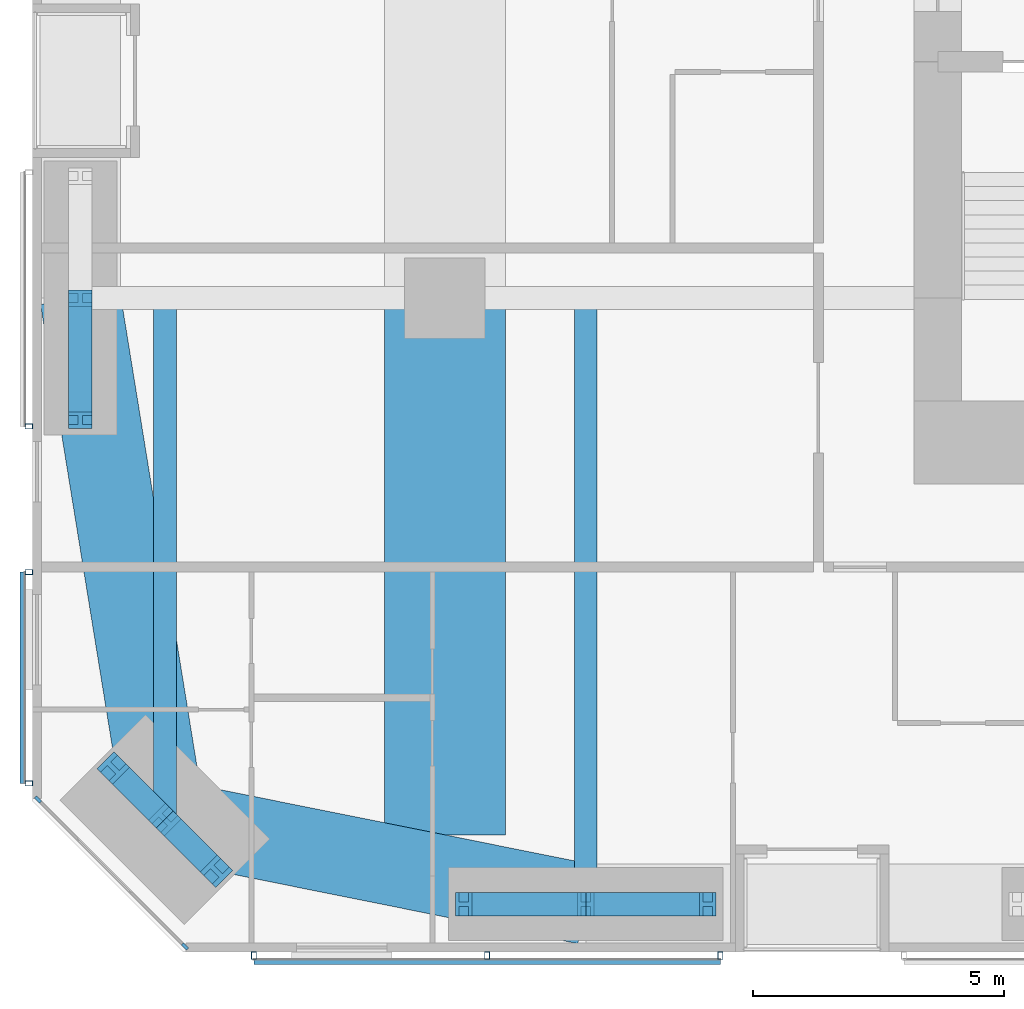
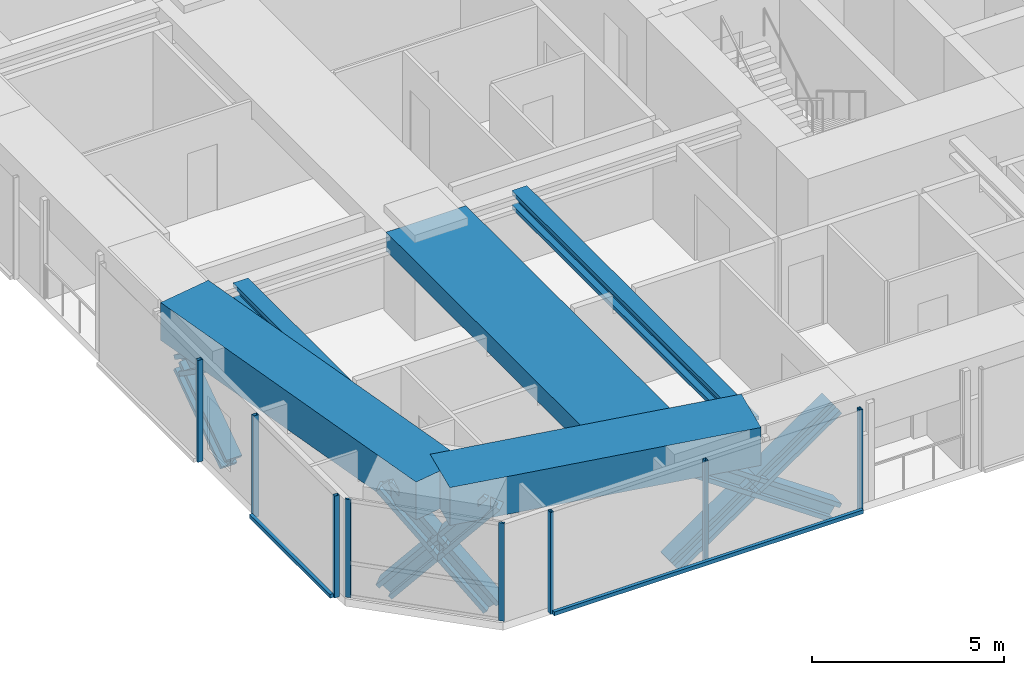
# One storey, part 2 of 23: 20 members, 5 beams, 4 elements without a shape of their own.
"""IFC4 building model written with IfcOpenShell, lengths in metres."""

from ifc_helpers import new_model, si_unit, direction, frame, origin, origin_2d, place, context, subcontext, project, spatial, rectangle, hollow_rectangle, i_section, extrude, material, material_profile, profile_set, type_object, element, aggregate, save


model = new_model("IFC4")

# Units and contexts
model_context = context("Model", 3, precision=1e-05, world=origin(), true_north=direction((0.0, 1.0)))
body_context = subcontext(model_context, "Body", "Model", "MODEL_VIEW")
ifc_project = project(units=[si_unit("LENGTHUNIT", "METRE"), si_unit("AREAUNIT", "SQUARE_METRE"), si_unit("VOLUMEUNIT", "CUBIC_METRE"), si_unit("PLANEANGLEUNIT", "RADIAN"), si_unit("MASSUNIT", "GRAM", prefix="KILO")], contexts=[model_context])

# Site, building, storey
site_placement = place(None, origin())
site = spatial("IfcSite", under=ifc_project, at=site_placement, CompositionType="ELEMENT")
building_placement = place(site_placement, origin())
building = spatial("IfcBuilding", under=site, at=building_placement, Name="Jalousie Tower", CompositionType="ELEMENT")
storey_placement = place(building_placement, frame((0.0, 0.0, 37.75)))
storey = spatial("IfcBuildingStorey", under=building, at=storey_placement, Name="L09", CompositionType="ELEMENT", Elevation=37.75)

# Curtain wall, members
ifc_material_1 = material(Name="Aluminium curtain wall", Category="aluminium")
curtain_wall_type_1 = type_object("IfcCurtainWallType", Name="CORNER WINDOW WALL", PredefinedType="USERDEFINED", material=ifc_material_1)
curtain_wall_1_placement = place(storey_placement, origin())
curtain_wall_1 = element("IfcCurtainWall", 1, at=curtain_wall_1_placement, inside=storey, type_object=curtain_wall_type_1, Name="Corner Window Wall L09 8", ObjectType="CORNER WINDOW WALL", PredefinedType="USERDEFINED")
ifc_material_2 = material(Name="Aluminium mullion", Category="aluminium")
ifc_material_profile_1 = material_profile(ifc_material_2, rectangle(XDim=0.06005859375, YDim=0.14990234375, at=origin_2d()), Name="MULLION 60x150")
ifc_profile_set_1 = profile_set([ifc_material_profile_1], Name="Aluminium mullion")
member_type_1 = type_object("IfcMemberType", Name="CORNER WINDOW WALL MULLION", PredefinedType="MULLION", material=ifc_profile_set_1)
member_1_placement = place(storey_placement, frame((2.108642578125, 3.030029296875, 0.0), z_axis=(0.0, 0.0, 1.0), x_axis=(0.707106781187, 0.707106781187, 0.0)))
member_1 = element("IfcMember", 2, at=member_1_placement, type_object=member_type_1, Name="CW-C mullion 1", PredefinedType="MULLION", context=body_context, shape_type="SweptSolid", body=[
    extrude(rectangle(XDim=0.06005859375, YDim=0.14990234375, at=origin_2d()), origin(), (0.0, 0.0, 1.0), 3.110107421875),
])
member_2_placement = place(storey_placement, frame((5.030029296875, 0.108642578125, 0.0), z_axis=(0.0, 0.0, 1.0), x_axis=(0.707106781187, 0.707106781187, 0.0)))
member_2 = element("IfcMember", 3, at=member_2_placement, type_object=member_type_1, Name="CW-C mullion 2", PredefinedType="MULLION", context=body_context, shape_type="SweptSolid", body=[
    extrude(rectangle(XDim=0.06005859375, YDim=0.14990234375, at=origin_2d()), origin(), (0.0, 0.0, 1.0), 3.110107421875),
])
aggregate(curtain_wall_1, [member_1, member_2])

# Beams
ifc_material_3 = material(Name="Steel ASTM A992 Grade 50", Category="steel")
ifc_material_profile_2 = material_profile(ifc_material_3, i_section(OverallWidth=0.45458984375, OverallDepth=0.569091796875, WebThickness=0.077880859375, FlangeThickness=0.124755859375, at=origin_2d()), Name="W14X730")
ifc_profile_set_2 = profile_set([ifc_material_profile_2], Name="Steel ASTM A992 Grade 50")
beam_type_1 = type_object("IfcBeamType", Name="LEAN COLLECTOR W14X730", PredefinedType="BEAM", material=ifc_profile_set_2)
beam_1_placement = place(storey_placement, frame((4.63134765625, 2.63134765625, 2.825439453125), z_axis=(0.0, 1.0, 0.0), x_axis=(-1.0, 0.0, 0.0)))
element("IfcBeam", 4, at=beam_1_placement, inside=storey, type_object=beam_type_1, Name="Lean collector under L10", PredefinedType="BEAM", context=body_context, shape_type="SweptSolid", body=[
    extrude(i_section(OverallWidth=0.45458984375, OverallDepth=0.569091796875, WebThickness=0.077880859375, FlangeThickness=0.124755859375, at=origin_2d()), origin(), (0.0, 0.0, 1.0), 10.36865234375),
])
beam_2_placement = place(storey_placement, frame((13.0, 0.949951171875, 2.825439453125), z_axis=(0.0, 1.0, 0.0), x_axis=(-1.0, 0.0, 0.0)))
element("IfcBeam", 5, at=beam_2_placement, inside=storey, type_object=beam_type_1, Name="Lean collector under L10", PredefinedType="BEAM", context=body_context, shape_type="SweptSolid", body=[
    extrude(i_section(OverallWidth=0.45458984375, OverallDepth=0.569091796875, WebThickness=0.077880859375, FlangeThickness=0.124755859375, at=origin_2d()), origin(), (0.0, 0.0, 1.0), 12.050048828125),
])

# Members
ifc_material_4 = material(Name="Steel ASTM A992 Grade 50", Category="steel")
ifc_material_profile_3 = material_profile(ifc_material_4, i_section(OverallWidth=0.472412109375, OverallDepth=0.5791015625, WebThickness=0.094970703125, FlangeThickness=0.1298828125, at=origin_2d()), Name="W14X808")
ifc_profile_set_3 = profile_set([ifc_material_profile_3], Name="Steel ASTM A992 Grade 50")
member_type_2 = type_object("IfcMemberType", Name="PERIMETER BRACE W14X808", PredefinedType="BRACE", material=ifc_profile_set_3)
for number, where, z_axis, x_axis, name in (
    (6, (3.606201171875, 3.65673828125, -0.60009765625), (0.462729793854, -0.462839993852, 0.756082189957), (0.707190965575, 0.707022586774, 0.0), "Perimeter brace 01 L09 part 1"),
    (7, (4.63134765625, 2.63134765625, 1.074951171875), (0.462839993852, -0.462729793854, 0.756082189957), (0.707022586774, 0.707190965575, 0.0), "Perimeter brace 01 L09 part 2"),
    (8, (5.65673828125, 1.606201171875, -0.60009765625), (-0.462839993852, 0.462729793854, 0.756082189957), (-0.707022586774, -0.707190965575, 0.0), "Perimeter brace 01 L09 part 3"),
    (9, (4.63134765625, 2.63134765625, 1.074951171875), (-0.462729793854, 0.462839993852, 0.756082189957), (-0.707190965575, -0.707022586774, 0.0), "Perimeter brace 01 L09 part 4"),
):
    element("IfcMember", number, at=place(storey_placement, frame(where, z_axis=z_axis, x_axis=x_axis)), inside=storey, type_object=member_type_2, Name=name, PredefinedType="BRACE", context=body_context, shape_type="SweptSolid", body=[
        extrude(i_section(OverallWidth=0.472412109375, OverallDepth=0.5791015625, WebThickness=0.094970703125, FlangeThickness=0.1298828125, at=origin_2d()), origin(), (0.0, 0.0, 1.0), 2.21533203125),
    ])
for number, where, z_axis, x_axis, name in (
    (10, (10.574951171875, 0.949951171875, -0.60009765625), (0.822800062329, 0.0, 0.568330940062), (0.0, 1.0, 0.0), "Perimeter brace 02 L09 part 1"),
    (11, (13.0, 0.949951171875, 1.074951171875), (0.822800062329, 0.0, 0.568330940062), (0.0, 1.0, 0.0), "Perimeter brace 02 L09 part 2"),
    (12, (15.425048828125, 0.949951171875, -0.60009765625), (-0.822800062329, 0.0, 0.568330940062), (0.0, -1.0, 0.0), "Perimeter brace 02 L09 part 3"),
    (13, (13.0, 0.949951171875, 1.074951171875), (-0.822800062329, 0.0, 0.568330940062), (0.0, -1.0, 0.0), "Perimeter brace 02 L09 part 4"),
    (14, (2.949951171875, 10.574951171875, -0.60009765625), (0.0, 0.822800062329, 0.568330940062), (-1.0, 0.0, 0.0), "Perimeter brace 14 L09 part 1"),
    (15, (2.949951171875, 13.0, 1.074951171875), (0.0, -0.822800062329, 0.568330940062), (1.0, 0.0, 0.0), "Perimeter brace 14 L09 part 4"),
):
    element("IfcMember", number, at=place(storey_placement, frame(where, z_axis=z_axis, x_axis=x_axis)), inside=storey, type_object=member_type_2, Name=name, PredefinedType="BRACE", context=body_context, shape_type="SweptSolid", body=[
        extrude(i_section(OverallWidth=0.472412109375, OverallDepth=0.5791015625, WebThickness=0.094970703125, FlangeThickness=0.1298828125, at=origin_2d()), origin(), (0.0, 0.0, 1.0), 2.947265625),
    ])

# Beams
ifc_material_5 = material(Name="Concrete f'c 40 MPa", Category="concrete")
ifc_material_profile_4 = material_profile(ifc_material_5, rectangle(XDim=1.60009765625, YDim=1.199951171875, at=origin_2d()), Name="RC 1600x1200")
ifc_profile_set_4 = profile_set([ifc_material_profile_4], Name="Concrete f'c 40 MPa")
beam_type_2 = type_object("IfcBeamType", Name="RC BEAM 1600x1200", PredefinedType="BEAM", material=ifc_profile_set_4)
beam_3_placement = place(storey_placement, frame((4.63134765625, 2.63134765625, 2.75), z_axis=(0.980407585444, -0.196979609107, 0.0), x_axis=(0.196979609107, 0.980407585444, 0.0)))
element("IfcBeam", 16, at=beam_3_placement, inside=storey, type_object=beam_type_2, Name="Edge band beam 01-02 under L10", PredefinedType="BEAM", context=body_context, shape_type="SweptSolid", body=[
    extrude(rectangle(XDim=1.60009765625, YDim=1.199951171875, at=origin_2d()), origin(), (0.0, 0.0, 1.0), 8.535888671875),
])
beam_4_placement = place(storey_placement, frame((2.949951171875, 13.0, 2.75), z_axis=(0.160070546476, -0.987105577003, 0.0), x_axis=(0.987105577003, 0.160070546476, 0.0)))
element("IfcBeam", 17, at=beam_4_placement, inside=storey, type_object=beam_type_2, Name="Edge band beam 14-01 under L10", PredefinedType="BEAM", context=body_context, shape_type="SweptSolid", body=[
    extrude(rectangle(XDim=1.60009765625, YDim=1.199951171875, at=origin_2d()), origin(), (0.0, 0.0, 1.0), 10.504150390625),
])
ifc_material_6 = material(Name="Concrete f'c 40 MPa", Category="concrete")
ifc_material_profile_5 = material_profile(ifc_material_6, rectangle(XDim=2.39990234375, YDim=0.60009765625, at=origin_2d()), Name="RC 2400x600")
ifc_profile_set_5 = profile_set([ifc_material_profile_5], Name="Concrete f'c 40 MPa")
beam_type_3 = type_object("IfcBeamType", Name="RC BEAM 2400x600", PredefinedType="BEAM", material=ifc_profile_set_5)
beam_5_placement = place(storey_placement, frame((10.199951171875, 13.0, 2.81005859375), z_axis=(0.0, -1.0, 0.0), x_axis=(1.0, 0.0, 0.0)))
element("IfcBeam", 18, at=beam_5_placement, inside=storey, type_object=beam_type_3, Name="Floor band beam under L10", PredefinedType="BEAM", context=body_context, shape_type="SweptSolid", body=[
    extrude(rectangle(XDim=2.39990234375, YDim=0.60009765625, at=origin_2d()), origin(), (0.0, 0.0, 1.0), 10.67138671875),
])

# Curtain wall, members
ifc_material_7 = material(Name="Perforated aluminium sheet", Category="aluminium")
curtain_wall_type_2 = type_object("IfcCurtainWallType", Name="SOLAR SCREEN SS-1", PredefinedType="USERDEFINED", material=ifc_material_7)
curtain_wall_2_placement = place(storey_placement, origin())
curtain_wall_2 = element("IfcCurtainWall", 19, at=curtain_wall_2_placement, inside=storey, type_object=curtain_wall_type_2, Name="Solar screen L09", ObjectType="SOLAR SCREEN SS-1", PredefinedType="USERDEFINED")
ifc_material_8 = material(Name="Steel ASTM A500 Grade C", Category="steel")
ifc_material_profile_6 = material_profile(ifc_material_8, hollow_rectangle(XDim=0.1015625, YDim=0.15234375, WallThickness=0.00634765625, at=origin_2d()), Name="HSS6X4X1/4")
ifc_profile_set_6 = profile_set([ifc_material_profile_6], Name="Steel ASTM A500 Grade C")
member_type_3 = type_object("IfcMemberType", Name="SOLAR SCREEN SS-1 MULLION", PredefinedType="MULLION", material=ifc_profile_set_6)
member_3_placement = place(storey_placement, frame((6.39990234375, -0.0712890625, -0.1201171875), z_axis=(0.0, 0.0, 1.0), x_axis=(1.0, 0.0, 0.0)))
member_3 = element("IfcMember", 20, at=member_3_placement, type_object=member_type_3, Name="SS1 post 1", PredefinedType="MULLION", context=body_context, shape_type="SweptSolid", body=[
    extrude(hollow_rectangle(XDim=0.1015625, YDim=0.15234375, WallThickness=0.00634765625, at=origin_2d()), origin(), (0.0, 0.0, 1.0), 3.230224609375),
])
member_4_placement = place(storey_placement, frame((11.03759765625, -0.0712890625, -0.1201171875), z_axis=(0.0, 0.0, 1.0), x_axis=(1.0, 0.0, 0.0)))
member_4 = element("IfcMember", 21, at=member_4_placement, type_object=member_type_3, Name="SS1 post 2", PredefinedType="MULLION", context=body_context, shape_type="SweptSolid", body=[
    extrude(hollow_rectangle(XDim=0.1015625, YDim=0.15234375, WallThickness=0.00634765625, at=origin_2d()), origin(), (0.0, 0.0, 1.0), 3.230224609375),
])
member_5_placement = place(storey_placement, frame((15.675048828125, -0.0712890625, -0.1201171875), z_axis=(0.0, 0.0, 1.0), x_axis=(1.0, 0.0, 0.0)))
member_5 = element("IfcMember", 22, at=member_5_placement, type_object=member_type_3, Name="SS1 post 3", PredefinedType="MULLION", context=body_context, shape_type="SweptSolid", body=[
    extrude(hollow_rectangle(XDim=0.1015625, YDim=0.15234375, WallThickness=0.00634765625, at=origin_2d()), origin(), (0.0, 0.0, 1.0), 3.230224609375),
])

# Curtain wall, member
curtain_wall_3_placement = place(storey_placement, origin())
curtain_wall_3 = element("IfcCurtainWall", 23, at=curtain_wall_3_placement, inside=storey, type_object=curtain_wall_type_2, Name="Solar screen L09", ObjectType="SOLAR SCREEN SS-1", PredefinedType="USERDEFINED")
member_6_placement = place(storey_placement, frame((1.9287109375, 10.449951171875, -0.1201171875), z_axis=(0.0, 0.0, 1.0), x_axis=(0.0, -1.0, 0.0)))
member_6 = element("IfcMember", 24, at=member_6_placement, type_object=member_type_3, Name="SS1 post 2", PredefinedType="MULLION", context=body_context, shape_type="SweptSolid", body=[
    extrude(hollow_rectangle(XDim=0.1015625, YDim=0.15234375, WallThickness=0.00634765625, at=origin_2d()), origin(), (0.0, 0.0, 1.0), 3.230224609375),
])
aggregate(curtain_wall_3, [member_6])

# Curtain wall, members
curtain_wall_4_placement = place(storey_placement, origin())
curtain_wall_4 = element("IfcCurtainWall", 25, at=curtain_wall_4_placement, inside=storey, type_object=curtain_wall_type_2, Name="Solar screen L09", ObjectType="SOLAR SCREEN SS-1", PredefinedType="USERDEFINED")
member_7_placement = place(storey_placement, frame((1.9287109375, 7.550048828125, -0.1201171875), z_axis=(0.0, 0.0, 1.0), x_axis=(0.0, -1.0, 0.0)))
member_7 = element("IfcMember", 26, at=member_7_placement, type_object=member_type_3, Name="SS1 post 1", PredefinedType="MULLION", context=body_context, shape_type="SweptSolid", body=[
    extrude(hollow_rectangle(XDim=0.1015625, YDim=0.15234375, WallThickness=0.00634765625, at=origin_2d()), origin(), (0.0, 0.0, 1.0), 3.230224609375),
])
member_8_placement = place(storey_placement, frame((1.9287109375, 3.351318359375, -0.1201171875), z_axis=(0.0, 0.0, 1.0), x_axis=(0.0, -1.0, 0.0)))
member_8 = element("IfcMember", 27, at=member_8_placement, type_object=member_type_3, Name="SS1 post 2", PredefinedType="MULLION", context=body_context, shape_type="SweptSolid", body=[
    extrude(hollow_rectangle(XDim=0.1015625, YDim=0.15234375, WallThickness=0.00634765625, at=origin_2d()), origin(), (0.0, 0.0, 1.0), 3.230224609375),
])

# Member
ifc_material_9 = material(Name="Extruded aluminium screen rail", Category="aluminium")
ifc_material_profile_7 = material_profile(ifc_material_9, rectangle(XDim=0.1015625, YDim=0.1201171875, at=origin_2d()), Name="RAIL 102x120")
ifc_profile_set_7 = profile_set([ifc_material_profile_7], Name="Extruded aluminium screen rail")
member_type_4 = type_object("IfcMemberType", Name="SOLAR SCREEN SS-1 TRANSOM", PredefinedType="USERDEFINED", material=ifc_profile_set_7)
member_9_placement = place(storey_placement, frame((6.39990234375, -0.1982421875, -0.06005859375), z_axis=(1.0, 0.0, 0.0), x_axis=(0.0, 1.0, 0.0)))
member_9 = element("IfcMember", 28, at=member_9_placement, type_object=member_type_4, Name="SS1 rail", ObjectType="TRANSOM", PredefinedType="USERDEFINED", context=body_context, shape_type="SweptSolid", body=[
    extrude(rectangle(XDim=0.1015625, YDim=0.1201171875, at=origin_2d()), origin(), (0.0, 0.0, 1.0), 9.275146484375),
])

aggregate(curtain_wall_2, [member_3, member_4, member_5, member_9])

member_10_placement = place(storey_placement, frame((1.8017578125, 7.550048828125, -0.06005859375), z_axis=(0.0, -1.0, 0.0), x_axis=(1.0, 0.0, 0.0)))
member_10 = element("IfcMember", 29, at=member_10_placement, type_object=member_type_4, Name="SS1 rail", ObjectType="TRANSOM", PredefinedType="USERDEFINED", context=body_context, shape_type="SweptSolid", body=[
    extrude(rectangle(XDim=0.1015625, YDim=0.1201171875, at=origin_2d()), origin(), (0.0, 0.0, 1.0), 4.19873046875),
])

aggregate(curtain_wall_4, [member_7, member_8, member_10])

save(model, "model.ifc")
